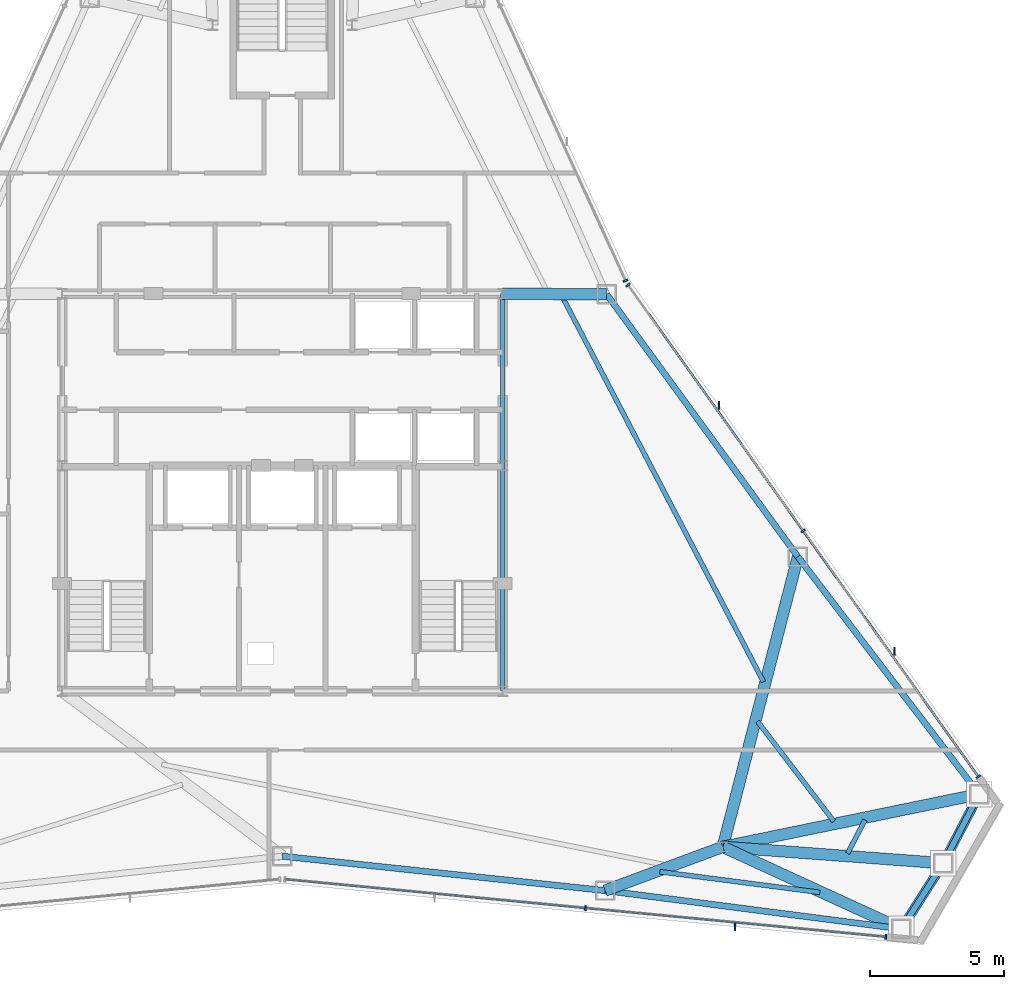
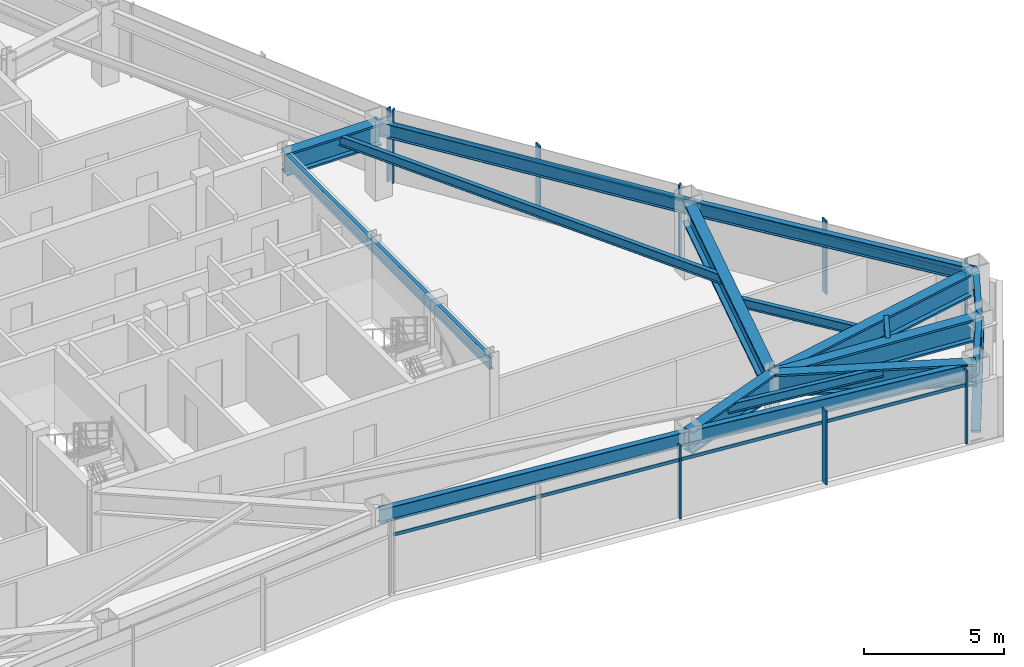
# One storey, part 6 of 11: 17 beams, 13 members, 3 elements without a shape of their own.
"""IFC4 building model written with IfcOpenShell, lengths in metres."""

from ifc_helpers import new_model, si_unit, direction, frame, origin, origin_2d, place, context, subcontext, project, spatial, rectangle, hollow_rectangle, i_section, extrude, source, transform, mapped, material, layer, layer_set, material_profile, profile_set, type_object, type_shapes, element, aggregate, save


model = new_model("IFC4")

# Units and contexts
model_context = context("Model", 3, precision=1e-05, world=origin(), true_north=direction((0.0, 1.0)))
body_context = subcontext(model_context, "Body", "Model", "MODEL_VIEW")
ifc_project = project(units=[si_unit("LENGTHUNIT", "METRE"), si_unit("AREAUNIT", "SQUARE_METRE"), si_unit("VOLUMEUNIT", "CUBIC_METRE"), si_unit("PLANEANGLEUNIT", "RADIAN"), si_unit("MASSUNIT", "GRAM", prefix="KILO")], contexts=[model_context])

# Site, building, storey
site_placement = place(None, origin())
site = spatial("IfcSite", under=ifc_project, at=site_placement, CompositionType="ELEMENT")
building_placement = place(site_placement, origin())
building = spatial("IfcBuilding", under=site, at=building_placement, Name="Varakhsha Concourse Tower", CompositionType="ELEMENT")
storey_placement = place(building_placement, frame((0.0, 0.0, 246.89990234375)))
storey = spatial("IfcBuildingStorey", under=building, at=storey_placement, Name="L70", CompositionType="ELEMENT", Elevation=246.89990234375)

# Beams
ifc_material_1 = material(Name="Structural Steel ASTM A992 Grade 50", Category="steel")
ifc_material_profile_1 = material_profile(ifc_material_1, i_section(OverallWidth=0.177978515625, OverallDepth=0.406982421875, WebThickness=0.008056640625, FlangeThickness=0.012939453125, at=origin_2d()), Name="W16X40")
ifc_profile_set_1 = profile_set([ifc_material_profile_1], Name="Structural Steel ASTM A992 Grade 50")
beam_type_1 = type_object("IfcBeamType", Name="BM-JST-W16X40", PredefinedType="JOIST", material=ifc_profile_set_1)
beam_1_placement = place(storey_placement, frame((54.056396484375, 9.6748046875, 2.99658203125), z_axis=(0.991734895487, -0.128303924619, 0.0), x_axis=(0.128303924619, 0.991734895487, 0.0)))
element("IfcBeam", 1, at=beam_1_placement, inside=storey, type_object=beam_type_1, Name="BM-TJST-L70-12", PredefinedType="JOIST", context=body_context, shape_type="SweptSolid", body=[
    extrude(i_section(OverallWidth=0.177978515625, OverallDepth=0.406982421875, WebThickness=0.008056640625, FlangeThickness=0.012939453125, at=origin_2d()), origin(), (0.0, 0.0, 1.0), 6.009033203125),
])
beam_2_placement = place(storey_placement, frame((61.04833984375, 10.356689453125, 2.99658203125), z_axis=(0.461692171136, 0.887040212793, 0.0), x_axis=(-0.887040212793, 0.461692171136, 0.0)))
element("IfcBeam", 2, at=beam_2_placement, inside=storey, type_object=beam_type_1, Name="BM-TJST-L70-14", PredefinedType="JOIST", context=body_context, shape_type="SweptSolid", body=[
    extrude(i_section(OverallWidth=0.177978515625, OverallDepth=0.406982421875, WebThickness=0.008056640625, FlangeThickness=0.012939453125, at=origin_2d()), origin(), (0.0, 0.0, 1.0), 1.404052734375),
])
beam_3_placement = place(storey_placement, frame((60.53466796875, 11.551513671875, 2.99658203125), z_axis=(-0.606963389055, 0.794729793293, 0.0), x_axis=(-0.794729793293, -0.606963389055, 0.0)))
element("IfcBeam", 3, at=beam_3_placement, inside=storey, type_object=beam_type_1, Name="BM-TJST-L70-15", PredefinedType="JOIST", context=body_context, shape_type="SweptSolid", body=[
    extrude(i_section(OverallWidth=0.177978515625, OverallDepth=0.406982421875, WebThickness=0.008056640625, FlangeThickness=0.012939453125, at=origin_2d()), origin(), (0.0, 0.0, 1.0), 4.67431640625),
])
beam_4_placement = place(storey_placement, frame((57.915283203125, 16.747802734375, 2.99658203125), z_axis=(-0.463071311645, 0.88632102555, 0.0), x_axis=(-0.88632102555, -0.463071311645, 0.0)))
element("IfcBeam", 4, at=beam_4_placement, inside=storey, type_object=beam_type_1, Name="BM-TJST-L70-16", PredefinedType="JOIST", context=body_context, shape_type="SweptSolid", body=[
    extrude(i_section(OverallWidth=0.177978515625, OverallDepth=0.406982421875, WebThickness=0.008056640625, FlangeThickness=0.012939453125, at=origin_2d()), origin(), (0.0, 0.0, 1.0), 16.179443359375),
])
ifc_material_profile_2 = material_profile(ifc_material_1, i_section(OverallWidth=0.1669921875, OverallDepth=0.534912109375, WebThickness=0.010009765625, FlangeThickness=0.01708984375, at=origin_2d()), Name="W21X57")
ifc_profile_set_2 = profile_set([ifc_material_profile_2], Name="Structural Steel ASTM A992 Grade 50")
beam_type_2 = type_object("IfcBeamType", Name="BM-RAD-W21X57", PredefinedType="BEAM", material=ifc_profile_set_2)
beam_5_placement = place(storey_placement, frame((48.199951171875, 16.39990234375, 2.9326171875), z_axis=(0.0, 1.0, 0.0), x_axis=(-1.0, 0.0, 0.0)))
element("IfcBeam", 5, at=beam_5_placement, inside=storey, type_object=beam_type_2, Name="BM-TCORE-L70-CE", PredefinedType="BEAM", context=body_context, shape_type="SweptSolid", body=[
    extrude(i_section(OverallWidth=0.1669921875, OverallDepth=0.534912109375, WebThickness=0.010009765625, FlangeThickness=0.01708984375, at=origin_2d()), origin(), (0.0, 0.0, 1.0), 14.800048828125),
])
ifc_material_profile_3 = material_profile(ifc_material_1, i_section(OverallWidth=0.22900390625, OverallDepth=0.612060546875, WebThickness=0.011962890625, FlangeThickness=0.02001953125, at=origin_2d()), Name="W24X84")
ifc_profile_set_3 = profile_set([ifc_material_profile_3], Name="Structural Steel ASTM A992 Grade 50")
beam_type_3 = type_object("IfcBeamType", Name="BM-SPAN-W24X84", PredefinedType="SPANDREL", material=ifc_profile_set_3)
beam_6_placement = place(storey_placement, frame((40.0, 10.252197265625, 2.89404296875), z_axis=(0.994383939653, -0.1058327953, 0.0), x_axis=(0.1058327953, 0.994383939653, 0.0)))
element("IfcBeam", 6, at=beam_6_placement, inside=storey, type_object=beam_type_3, Name="BM-SPAN-L70-11", PredefinedType="SPANDREL", context=body_context, shape_type="SweptSolid", body=[
    extrude(i_section(OverallWidth=0.22900390625, OverallDepth=0.612060546875, WebThickness=0.011962890625, FlangeThickness=0.02001953125, at=origin_2d()), origin(), (0.0, 0.0, 1.0), 12.087890625),
])
beam_7_placement = place(storey_placement, frame((52.02001953125, 8.972900390625, 2.89404296875), z_axis=(0.991737290812, -0.128285408418, 0.0), x_axis=(0.128285408418, 0.991737290812, 0.0)))
element("IfcBeam", 7, at=beam_7_placement, inside=storey, type_object=beam_type_3, Name="BM-SPAN-L70-12", PredefinedType="SPANDREL", context=body_context, shape_type="SweptSolid", body=[
    extrude(i_section(OverallWidth=0.22900390625, OverallDepth=0.612060546875, WebThickness=0.011962890625, FlangeThickness=0.02001953125, at=origin_2d()), origin(), (0.0, 0.0, 1.0), 11.12353515625),
])
beam_8_placement = place(storey_placement, frame((63.0517578125, 7.5458984375, 2.89404296875), z_axis=(0.537387469164, 0.843335465865, 0.0), x_axis=(-0.843335465865, 0.537387469164, 0.0)))
element("IfcBeam", 8, at=beam_8_placement, inside=storey, type_object=beam_type_3, Name="BM-SPAN-L70-13", PredefinedType="SPANDREL", context=body_context, shape_type="SweptSolid", body=[
    extrude(i_section(OverallWidth=0.22900390625, OverallDepth=0.612060546875, WebThickness=0.011962890625, FlangeThickness=0.02001953125, at=origin_2d()), origin(), (0.0, 0.0, 1.0), 2.89990234375),
])
beam_9_placement = place(storey_placement, frame((64.610107421875, 9.991455078125, 2.89404296875), z_axis=(0.461636364541, 0.887069257123, 0.0), x_axis=(-0.887069257123, 0.461636364541, 0.0)))
element("IfcBeam", 9, at=beam_9_placement, inside=storey, type_object=beam_type_3, Name="BM-SPAN-L70-14", PredefinedType="SPANDREL", context=body_context, shape_type="SweptSolid", body=[
    extrude(i_section(OverallWidth=0.22900390625, OverallDepth=0.612060546875, WebThickness=0.011962890625, FlangeThickness=0.02001953125, at=origin_2d()), origin(), (0.0, 0.0, 1.0), 2.899658203125),
])
beam_10_placement = place(storey_placement, frame((65.94873046875, 12.563720703125, 2.89404296875), z_axis=(-0.606965274868, 0.794728353027, 0.0), x_axis=(-0.794728353027, -0.606965274868, 0.0)))
element("IfcBeam", 10, at=beam_10_placement, inside=storey, type_object=beam_type_3, Name="BM-SPAN-L70-15", PredefinedType="SPANDREL", context=body_context, shape_type="SweptSolid", body=[
    extrude(i_section(OverallWidth=0.22900390625, OverallDepth=0.612060546875, WebThickness=0.011962890625, FlangeThickness=0.02001953125, at=origin_2d()), origin(), (0.0, 0.0, 1.0), 11.123779296875),
])
beam_11_placement = place(storey_placement, frame((59.197021484375, 21.404052734375, 2.89404296875), z_axis=(-0.588854814451, 0.808238830729, 0.0), x_axis=(-0.808238830729, -0.588854814451, 0.0)))
element("IfcBeam", 11, at=beam_11_placement, inside=storey, type_object=beam_type_3, Name="BM-SPAN-L70-16", PredefinedType="SPANDREL", context=body_context, shape_type="SweptSolid", body=[
    extrude(i_section(OverallWidth=0.22900390625, OverallDepth=0.612060546875, WebThickness=0.011962890625, FlangeThickness=0.02001953125, at=origin_2d()), origin(), (0.0, 0.0, 1.0), 12.087646484375),
])
ifc_material_profile_4 = material_profile(ifc_material_1, i_section(OverallWidth=0.427978515625, OverallDepth=0.97509765625, WebThickness=0.050048828125, FlangeThickness=0.0810546875, at=origin_2d()), Name="W36X395")
ifc_profile_set_4 = profile_set([ifc_material_profile_4], Name="Structural Steel ASTM A992 Grade 50")
beam_type_4 = type_object("IfcBeamType", Name="BM-XFER-W36X395", PredefinedType="USERDEFINED", material=ifc_profile_set_4)
beam_12_placement = place(storey_placement, frame((56.39990234375, 10.60009765625, 2.712646484375), z_axis=(-0.937398468599, -0.348258684125, 0.0), x_axis=(0.348258684125, -0.937398468599, 0.0)))
element("IfcBeam", 12, at=beam_12_placement, inside=storey, type_object=beam_type_4, Name="L70 Radial Floor Girder 12", ObjectType="GIRDER", PredefinedType="USERDEFINED", context=body_context, shape_type="SweptSolid", body=[
    extrude(i_section(OverallWidth=0.427978515625, OverallDepth=0.97509765625, WebThickness=0.050048828125, FlangeThickness=0.0810546875, at=origin_2d()), origin(), (0.0, 0.0, 1.0), 4.67236328125),
])
beam_13_placement = place(storey_placement, frame((56.39990234375, 10.60009765625, 2.712646484375), z_axis=(0.908783517298, -0.417267921948, 0.0), x_axis=(0.417267921948, 0.908783517298, 0.0)))
element("IfcBeam", 13, at=beam_13_placement, inside=storey, type_object=beam_type_4, Name="L70 Radial Floor Girder 13", ObjectType="GIRDER", PredefinedType="USERDEFINED", context=body_context, shape_type="SweptSolid", body=[
    extrude(i_section(OverallWidth=0.427978515625, OverallDepth=0.97509765625, WebThickness=0.050048828125, FlangeThickness=0.0810546875, at=origin_2d()), origin(), (0.0, 0.0, 1.0), 7.319580078125),
])
beam_14_placement = place(storey_placement, frame((56.39990234375, 10.60009765625, 2.712646484375), z_axis=(0.997263464351, -0.073929579132, 0.0), x_axis=(0.073929579132, 0.997263464351, 0.0)))
element("IfcBeam", 14, at=beam_14_placement, inside=storey, type_object=beam_type_4, Name="L70 Radial Floor Girder 14", ObjectType="GIRDER", PredefinedType="USERDEFINED", context=body_context, shape_type="SweptSolid", body=[
    extrude(i_section(OverallWidth=0.427978515625, OverallDepth=0.97509765625, WebThickness=0.050048828125, FlangeThickness=0.0810546875, at=origin_2d()), origin(), (0.0, 0.0, 1.0), 8.232666015625),
])
beam_15_placement = place(storey_placement, frame((56.39990234375, 10.60009765625, 2.712646484375), z_axis=(0.979503861801, 0.201425382503, 0.0), x_axis=(-0.201425382503, 0.979503861801, 0.0)))
element("IfcBeam", 15, at=beam_15_placement, inside=storey, type_object=beam_type_4, Name="L70 Radial Floor Girder 15", ObjectType="GIRDER", PredefinedType="USERDEFINED", context=body_context, shape_type="SweptSolid", body=[
    extrude(i_section(OverallWidth=0.427978515625, OverallDepth=0.97509765625, WebThickness=0.050048828125, FlangeThickness=0.0810546875, at=origin_2d()), origin(), (0.0, 0.0, 1.0), 9.74853515625),
])
beam_16_placement = place(storey_placement, frame((56.39990234375, 10.60009765625, 2.712646484375), z_axis=(0.250634171989, 0.968081872484, 0.0), x_axis=(-0.968081872484, 0.250634171989, 0.0)))
element("IfcBeam", 16, at=beam_16_placement, inside=storey, type_object=beam_type_4, Name="L70 Radial Floor Girder 16", ObjectType="GIRDER", PredefinedType="USERDEFINED", context=body_context, shape_type="SweptSolid", body=[
    extrude(i_section(OverallWidth=0.427978515625, OverallDepth=0.97509765625, WebThickness=0.050048828125, FlangeThickness=0.0810546875, at=origin_2d()), origin(), (0.0, 0.0, 1.0), 11.16015625),
])
beam_17_placement = place(storey_placement, frame((48.199951171875, 31.199951171875, 2.712646484375), z_axis=(0.999977325921, -0.00673406595, 0.0), x_axis=(0.00673406595, 0.999977325921, 0.0)))
element("IfcBeam", 17, at=beam_17_placement, inside=storey, type_object=beam_type_4, Name="L70 Radial Floor Girder 17", ObjectType="GIRDER", PredefinedType="USERDEFINED", context=body_context, shape_type="SweptSolid", body=[
    extrude(i_section(OverallWidth=0.427978515625, OverallDepth=0.97509765625, WebThickness=0.050048828125, FlangeThickness=0.0810546875, at=origin_2d()), origin(), (0.0, 0.0, 1.0), 3.879150390625),
])

# Members
ifc_material_2 = material(Name="Structural Steel ASTM A500 Grade C", Category="steel")
ifc_material_profile_5 = material_profile(ifc_material_2, hollow_rectangle(XDim=0.35009765625, YDim=0.35009765625, WallThickness=0.01611328125, at=origin_2d()), Name="HSS 350x350x16")
ifc_profile_set_5 = profile_set([ifc_material_profile_5], Name="Structural Steel ASTM A500 Grade C")
member_type_1 = type_object("IfcMemberType", Name="MB-TUBE-HSS350", PredefinedType="BRACE", material=ifc_profile_set_5)
shared_shape_1 = source(origin(), body_context, "Body", "SweptSolid", [
    extrude(hollow_rectangle(XDim=0.35009765625, YDim=0.35009765625, WallThickness=0.01611328125, at=origin_2d()), origin(), (0.0, 0.0, 1.0), 4.01708984375),
])
type_shapes(member_type_1, [shared_shape_1])
for number, where, z_axis, x_axis, name in (
    (18, (63.0517578125, 7.5458984375, 0.1201171875), (0.387920937581, 0.608773935728, 0.692034422095), (-0.843335465865, 0.537387469164, 0.0), "L70 Wind-Corner Tube Brace B05"),
    (19, (65.94873046875, 12.563720703125, 0.1201171875), (-0.333231894371, -0.64033033724, 0.692050261024), (0.887069257123, -0.461636364541, 0.0), "L70 Wind-Corner Tube Brace B06"),
):
    element("IfcMember", number, at=place(storey_placement, frame(where, z_axis=z_axis, x_axis=x_axis)), inside=storey, type_object=member_type_1, Name=name, PredefinedType="BRACE", context=body_context, shape_type="MappedRepresentation", body=[
        mapped(shared_shape_1, transform((0.0, 0.0, 0.0), scale=1.0)),
    ])

# Curtain wall, member
ifc_material_3 = material(Name="Anodised Bronze Architectural Aluminium AA 6063-T6", Category="aluminium")
ifc_layer = layer(ifc_material_3, 0.199951171875, Name="CW-SYS-05")
ifc_layer_set = layer_set([ifc_layer], Name="Anodised Bronze Architectural Aluminium AA 6063-T6")
curtain_wall_type = type_object("IfcCurtainWallType", Name="CW-SYS-05", PredefinedType="NOTDEFINED", material=ifc_layer_set)
curtain_wall_1_placement = place(storey_placement, origin())
curtain_wall_1 = element("IfcCurtainWall", 20, at=curtain_wall_1_placement, inside=storey, type_object=curtain_wall_type, Name="L70 Crystal Curtain Wall F6", PredefinedType="NOTDEFINED")
ifc_material_profile_6 = material_profile(ifc_material_3, rectangle(XDim=0.06005859375, YDim=0.139892578125, at=origin_2d()), Name="CWT-140X60")
ifc_profile_set_6 = profile_set([ifc_material_profile_6], Name="Anodised Bronze Architectural Aluminium AA 6063-T6")
member_type_2 = type_object("IfcMemberType", Name="CWT-140X60", PredefinedType="USERDEFINED", material=ifc_profile_set_6)
shared_shape_2 = source(origin(), body_context, "Body", "SweptSolid", [
    extrude(rectangle(XDim=0.06005859375, YDim=0.139892578125, at=origin_2d()), origin(), (0.0, 0.0, 1.0), 22.4814453125),
])
type_shapes(member_type_2, [shared_shape_2])
member_1_placement = place(storey_placement, frame((62.473876953125, 7.248046875, 2.550048828125), z_axis=(-0.995442950153, 0.095358969119, 0.0), x_axis=(-0.095358969119, -0.995442950153, 0.0)))
member_1 = element("IfcMember", 21, at=member_1_placement, type_object=member_type_2, Name="CW-L70-F6 Transom 01", ObjectType="TRANSOM", PredefinedType="USERDEFINED", context=body_context, shape_type="MappedRepresentation", body=[
    mapped(shared_shape_2, transform((0.0, 0.0, 0.0), scale=1.0)),
])

curtain_wall_2_placement = place(storey_placement, origin())
curtain_wall_2 = element("IfcCurtainWall", 22, at=curtain_wall_2_placement, inside=storey, type_object=curtain_wall_type, Name="L70 Crystal Curtain Wall F8", PredefinedType="NOTDEFINED")
member_2_placement = place(storey_placement, frame((52.87158203125, 31.52197265625, 2.550048828125), z_axis=(0.580307112199, -0.814397725642, 0.0), x_axis=(0.814397725642, 0.580307112199, 0.0)))
member_2 = element("IfcMember", 23, at=member_2_placement, type_object=member_type_2, Name="CW-L70-F8 Transom 01", ObjectType="TRANSOM", PredefinedType="USERDEFINED", context=body_context, shape_type="MappedRepresentation", body=[
    mapped(shared_shape_2, transform((0.0, 0.0, 0.0), scale=1.0)),
])

# Member
ifc_material_profile_7 = material_profile(ifc_material_3, rectangle(XDim=0.06494140625, YDim=0.179931640625, at=origin_2d()), Name="CWM-180X65")
ifc_profile_set_7 = profile_set([ifc_material_profile_7], Name="Anodised Bronze Architectural Aluminium AA 6063-T6")
member_type_3 = type_object("IfcMemberType", Name="CWM-180X65", PredefinedType="MULLION", material=ifc_profile_set_7)
shared_shape_3 = source(origin(), body_context, "Body", "SweptSolid", [
    extrude(rectangle(XDim=0.06494140625, YDim=0.179931640625, at=origin_2d()), origin(), (0.0, 0.0, 1.0), 3.2001953125),
])
type_shapes(member_type_3, [shared_shape_3])
member_3_placement = place(storey_placement, frame((62.473876953125, 7.248046875, 0.0), z_axis=(0.0, 0.0, 1.0), x_axis=(-0.995442585703, 0.095362773497, 0.0)))
member_3 = element("IfcMember", 24, at=member_3_placement, type_object=member_type_3, Name="CW-L70-F6 Mullion 00", PredefinedType="MULLION", context=body_context, shape_type="MappedRepresentation", body=[
    mapped(shared_shape_3, transform((0.0, 0.0, 0.0), scale=1.0)),
])

member_4_placement = place(storey_placement, frame((51.2841796875, 8.320068359375, 0.0), z_axis=(0.0, 0.0, 1.0), x_axis=(-0.995442585703, 0.095362773497, 0.0)))
member_4 = element("IfcMember", 25, at=member_4_placement, type_object=member_type_3, Name="CW-L70-F6 Mullion 01", PredefinedType="MULLION", context=body_context, shape_type="MappedRepresentation", body=[
    mapped(shared_shape_3, transform((0.0, 0.0, 0.0), scale=1.0)),
])

member_5_placement = place(storey_placement, frame((52.87158203125, 31.52197265625, 0.0), z_axis=(0.0, 0.0, 1.0), x_axis=(0.580306455883, -0.814398193306, 0.0)))
member_5 = element("IfcMember", 26, at=member_5_placement, type_object=member_type_3, Name="CW-L70-F8 Mullion 00", PredefinedType="MULLION", context=body_context, shape_type="MappedRepresentation", body=[
    mapped(shared_shape_3, transform((0.0, 0.0, 0.0), scale=1.0)),
])

member_6_placement = place(storey_placement, frame((59.394775390625, 22.367431640625, 0.0), z_axis=(0.0, 0.0, 1.0), x_axis=(0.580306455883, -0.814398193306, 0.0)))
member_6 = element("IfcMember", 27, at=member_6_placement, type_object=member_type_3, Name="CW-L70-F8 Mullion 01", PredefinedType="MULLION", context=body_context, shape_type="MappedRepresentation", body=[
    mapped(shared_shape_3, transform((0.0, 0.0, 0.0), scale=1.0)),
])

member_7_placement = place(storey_placement, frame((65.917724609375, 13.213134765625, 0.0), z_axis=(0.0, 0.0, 1.0), x_axis=(0.580306455883, -0.814398193306, 0.0)))
member_7 = element("IfcMember", 28, at=member_7_placement, type_object=member_type_3, Name="CW-L70-F8 Mullion 02", PredefinedType="MULLION", context=body_context, shape_type="MappedRepresentation", body=[
    mapped(shared_shape_3, transform((0.0, 0.0, 0.0), scale=1.0)),
])

# Curtain wall, member
curtain_wall_3_placement = place(storey_placement, origin())
curtain_wall_3 = element("IfcCurtainWall", 29, at=curtain_wall_3_placement, inside=storey, type_object=curtain_wall_type, Name="L70 Crystal Curtain Wall F9", PredefinedType="NOTDEFINED")
member_8_placement = place(storey_placement, frame((52.776611328125, 31.686279296875, 0.0), z_axis=(0.0, 0.0, 1.0), x_axis=(0.415133120597, -0.909760678521, 0.0)))
member_8 = element("IfcMember", 30, at=member_8_placement, type_object=member_type_3, Name="CW-L70-F9 Mullion 02", PredefinedType="MULLION", context=body_context, shape_type="MappedRepresentation", body=[
    mapped(shared_shape_3, transform((0.0, 0.0, 0.0), scale=1.0)),
])
aggregate(curtain_wall_3, [member_8])

# Member
ifc_material_profile_8 = material_profile(ifc_material_3, rectangle(XDim=0.054931640625, YDim=0.300048828125, at=origin_2d()), Name="FIN-BRZ-300")
ifc_profile_set_8 = profile_set([ifc_material_profile_8], Name="Anodised Bronze Architectural Aluminium AA 6063-T6")
member_type_4 = type_object("IfcMemberType", Name="FIN-BRZ-300", PredefinedType="USERDEFINED", material=ifc_profile_set_8)
shared_shape_4 = source(origin(), body_context, "Body", "SweptSolid", [
    extrude(rectangle(XDim=0.054931640625, YDim=0.300048828125, at=origin_2d()), origin(), (0.0, 0.0, 1.0), 3.2001953125),
])
type_shapes(member_type_4, [shared_shape_4])
member_9_placement = place(storey_placement, frame((56.86328125, 7.61962890625, 0.0), z_axis=(0.0, 0.0, 1.0), x_axis=(1.0, 0.0, 0.0)))
member_9 = element("IfcMember", 31, at=member_9_placement, type_object=member_type_4, Name="L70 Anodised Bronze Solar Fin F6-1", ObjectType="SOLAR FIN", PredefinedType="USERDEFINED", context=body_context, shape_type="MappedRepresentation", body=[
    mapped(shared_shape_4, transform((0.0, 0.0, 0.0), scale=1.0)),
])

aggregate(curtain_wall_1, [member_3, member_4, member_1, member_9])

member_10_placement = place(storey_placement, frame((56.267578125, 27.04052734375, 0.0), z_axis=(0.0, 0.0, 1.0), x_axis=(1.0, 0.0, 0.0)))
member_10 = element("IfcMember", 32, at=member_10_placement, type_object=member_type_4, Name="L70 Anodised Bronze Solar Fin F8-1", ObjectType="SOLAR FIN", PredefinedType="USERDEFINED", context=body_context, shape_type="MappedRepresentation", body=[
    mapped(shared_shape_4, transform((0.0, 0.0, 0.0), scale=1.0)),
])

member_11_placement = place(storey_placement, frame((62.79052734375, 17.885986328125, 0.0), z_axis=(0.0, 0.0, 1.0), x_axis=(1.0, 0.0, 0.0)))
member_11 = element("IfcMember", 33, at=member_11_placement, type_object=member_type_4, Name="L70 Anodised Bronze Solar Fin F8-2", ObjectType="SOLAR FIN", PredefinedType="USERDEFINED", context=body_context, shape_type="MappedRepresentation", body=[
    mapped(shared_shape_4, transform((0.0, 0.0, 0.0), scale=1.0)),
])

aggregate(curtain_wall_2, [member_5, member_6, member_7, member_2, member_10, member_11])

save(model, "model.ifc")
